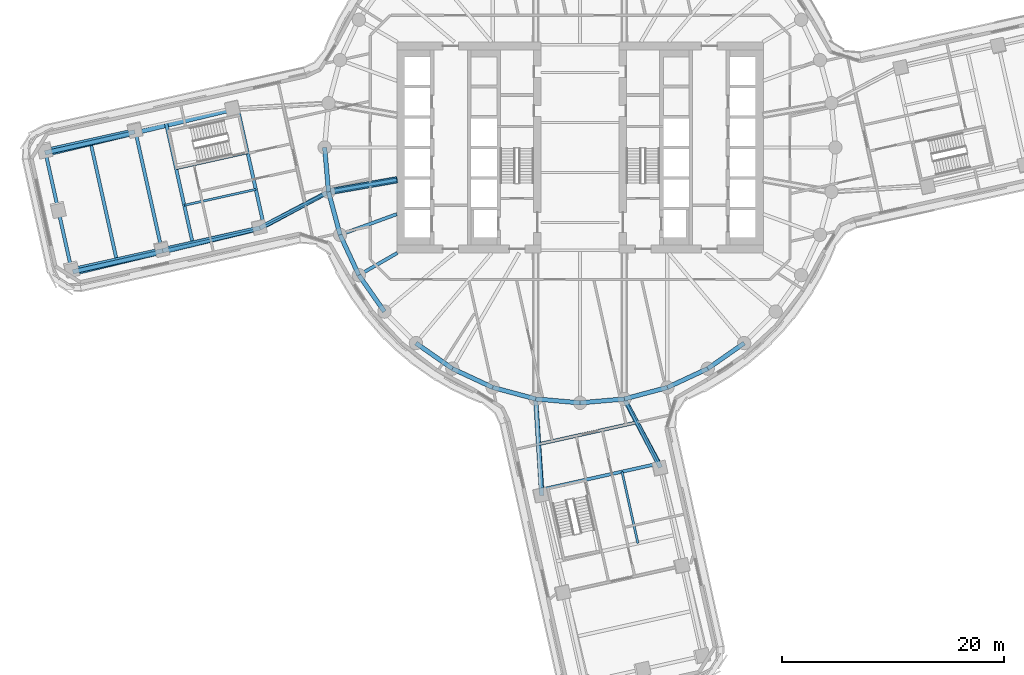
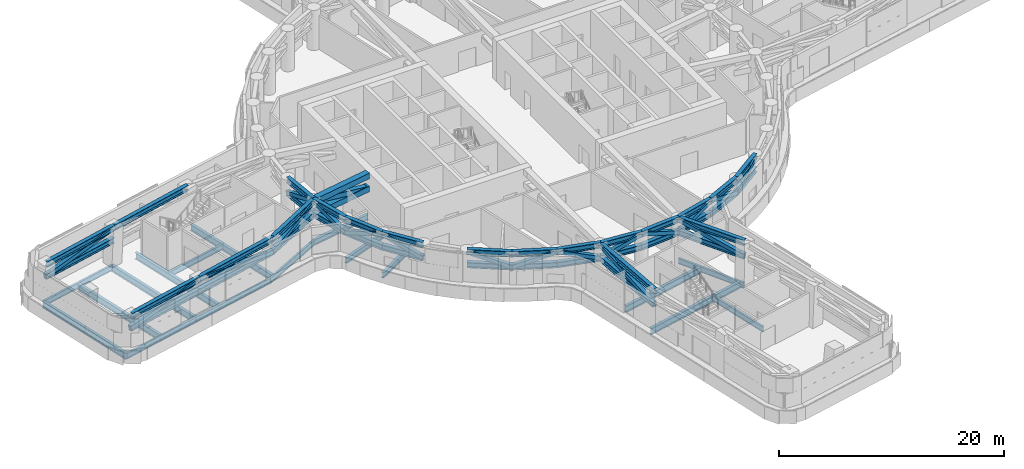
# One storey, part 2 of 22: 58 members, 19 beams.
"""IFC4 building model written with IfcOpenShell, lengths in metres."""

from ifc_helpers import new_model, si_unit, direction, frame, origin, origin_2d, place, context, subcontext, project, spatial, hollow_rectangle, i_section, extrude, material, material_profile, profile_set, type_object, element, save


model = new_model("IFC4")

# Units and contexts
model_context = context("Model", 3, precision=1e-05, world=origin(), true_north=direction((0.0, 1.0)))
body_context = subcontext(model_context, "Body", "Model", "MODEL_VIEW")
ifc_project = project(units=[si_unit("LENGTHUNIT", "METRE"), si_unit("AREAUNIT", "SQUARE_METRE"), si_unit("VOLUMEUNIT", "CUBIC_METRE"), si_unit("PLANEANGLEUNIT", "RADIAN"), si_unit("MASSUNIT", "GRAM", prefix="KILO")], contexts=[model_context])

# Site, building, storey
site_placement = place(None, origin())
site = spatial("IfcSite", under=ifc_project, at=site_placement, CompositionType="ELEMENT")
building_placement = place(site_placement, origin())
building = spatial("IfcBuilding", under=site, at=building_placement, Name="Tamarind Cross Interchange Tower", CompositionType="ELEMENT")
storey_placement = place(building_placement, frame((0.0, 0.0, 79.0)))
storey = spatial("IfcBuildingStorey", under=building, at=storey_placement, Name="L18", CompositionType="ELEMENT", Elevation=79.0)

# Beams
ifc_material_1 = material(Name="Steel Q355B", Category="steel")
ifc_material_profile_1 = material_profile(ifc_material_1, i_section(OverallWidth=0.302001953125, OverallDepth=0.593994140625, WebThickness=0.013916015625, FlangeThickness=0.02294921875, FilletRadius=0.01806640625, at=origin_2d()), Name="HM 594x302x14x23")
ifc_profile_set_1 = profile_set([ifc_material_profile_1], Name="Steel Q355B")
beam_type_1 = type_object("IfcBeamType", Name="Composite beam HM 594x302x14x23 Q355B", PredefinedType="BEAM", material=ifc_profile_set_1)
beam_1_placement = place(storey_placement, frame((-22.650634765625, -3.993896484375, -0.47705078125), z_axis=(0.984809127561, 0.173640382036, 0.0), x_axis=(-0.173640382036, 0.984809127561, 0.0)))
element("IfcBeam", 1, at=beam_1_placement, inside=storey, type_object=beam_type_1, Name="Beam HH19", PredefinedType="BEAM", context=body_context, shape_type="SweptSolid", body=[
    extrude(i_section(OverallWidth=0.302001953125, OverallDepth=0.593994140625, WebThickness=0.013916015625, FlangeThickness=0.02294921875, FilletRadius=0.01806640625, at=origin_2d()), origin(), (0.0, 0.0, 1.0), 6.24560546875),
])
beam_2_placement = place(storey_placement, frame((-21.613037109375, -7.866455078125, -0.47705078125), z_axis=(0.939701685589, 0.341995236956, 0.0), x_axis=(-0.341995236956, 0.939701685589, 0.0)))
element("IfcBeam", 2, at=beam_2_placement, inside=storey, type_object=beam_type_1, Name="Beam HH20", PredefinedType="BEAM", context=body_context, shape_type="SweptSolid", body=[
    extrude(i_section(OverallWidth=0.302001953125, OverallDepth=0.593994140625, WebThickness=0.013916015625, FlangeThickness=0.02294921875, FilletRadius=0.01806640625, at=origin_2d()), origin(), (0.0, 0.0, 1.0), 5.441162109375),
])
beam_3_placement = place(storey_placement, frame((-19.918701171875, -11.5, -0.47705078125), z_axis=(0.866026010844, 0.49999894854, 0.0), x_axis=(-0.49999894854, 0.866026010844, 0.0)))
element("IfcBeam", 3, at=beam_3_placement, inside=storey, type_object=beam_type_1, Name="Beam HH21", PredefinedType="BEAM", context=body_context, shape_type="SweptSolid", body=[
    extrude(i_section(OverallWidth=0.302001953125, OverallDepth=0.593994140625, WebThickness=0.013916015625, FlangeThickness=0.02294921875, FilletRadius=0.01806640625, at=origin_2d()), origin(), (0.0, 0.0, 1.0), 4.0),
])
ifc_material_profile_2 = material_profile(ifc_material_1, i_section(OverallWidth=0.199951171875, OverallDepth=0.60009765625, WebThickness=0.010986328125, FlangeThickness=0.01708984375, FilletRadius=0.012939453125, at=origin_2d()), Name="HN 600x200x11x17")
ifc_profile_set_2 = profile_set([ifc_material_profile_2], Name="Steel Q355B")
beam_type_2 = type_object("IfcBeamType", Name="Composite beam HN 600x200x11x17 Q355B", PredefinedType="BEAM", material=ifc_profile_set_2)
beam_4_placement = place(storey_placement, frame((7.170654296875, -28.908203125, -0.47998046875), z_axis=(-0.452674061758, 0.891676058786, 0.0), x_axis=(-0.891676058786, -0.452674061758, 0.0)))
element("IfcBeam", 4, at=beam_4_placement, inside=storey, type_object=beam_type_2, Name="Beam S-linkep", PredefinedType="BEAM", context=body_context, shape_type="SweptSolid", body=[
    extrude(i_section(OverallWidth=0.199951171875, OverallDepth=0.60009765625, WebThickness=0.010986328125, FlangeThickness=0.01708984375, FilletRadius=0.012939453125, at=origin_2d()), origin(), (0.0, 0.0, 1.0), 7.017822265625),
])
beam_5_placement = place(storey_placement, frame((-48.201171875, -0.1923828125, -0.47998046875), z_axis=(0.97615528254, 0.217073407789, 0.0), x_axis=(-0.217073407789, 0.97615528254, 0.0)))
element("IfcBeam", 5, at=beam_5_placement, inside=storey, type_object=beam_type_2, Name="Beam W-edgeem5", PredefinedType="BEAM", context=body_context, shape_type="SweptSolid", body=[
    extrude(i_section(OverallWidth=0.199951171875, OverallDepth=0.60009765625, WebThickness=0.010986328125, FlangeThickness=0.01708984375, FilletRadius=0.012939453125, at=origin_2d()), origin(), (0.0, 0.0, 1.0), 8.318115234375),
])
beam_6_placement = place(storey_placement, frame((-45.813232421875, -10.929931640625, -0.47998046875), z_axis=(0.976153899478, 0.217079627174, 0.0), x_axis=(-0.217079627174, 0.976153899478, 0.0)))
element("IfcBeam", 6, at=beam_6_placement, inside=storey, type_object=beam_type_2, Name="Beam W-edgeep2", PredefinedType="BEAM", context=body_context, shape_type="SweptSolid", body=[
    extrude(i_section(OverallWidth=0.199951171875, OverallDepth=0.60009765625, WebThickness=0.010986328125, FlangeThickness=0.01708984375, FilletRadius=0.012939453125, at=origin_2d()), origin(), (0.0, 0.0, 1.0), 8.31787109375),
])
beam_7_placement = place(storey_placement, frame((-37.693603515625, -9.124267578125, -0.47998046875), z_axis=(0.976156413168, 0.217068323417, 0.0), x_axis=(-0.217068323417, 0.976156413168, 0.0)))
element("IfcBeam", 7, at=beam_7_placement, inside=storey, type_object=beam_type_2, Name="Beam W-edgeep3", PredefinedType="BEAM", context=body_context, shape_type="SweptSolid", body=[
    extrude(i_section(OverallWidth=0.199951171875, OverallDepth=0.60009765625, WebThickness=0.010986328125, FlangeThickness=0.01708984375, FilletRadius=0.012939453125, at=origin_2d()), origin(), (0.0, 0.0, 1.0), 9.0),
])
beam_8_placement = place(storey_placement, frame((-28.908203125, -7.170654296875, -0.47998046875), z_axis=(0.891676058786, 0.452674061758, 0.0), x_axis=(-0.452674061758, 0.891676058786, 0.0)))
element("IfcBeam", 8, at=beam_8_placement, inside=storey, type_object=beam_type_2, Name="Beam W-linkep", PredefinedType="BEAM", context=body_context, shape_type="SweptSolid", body=[
    extrude(i_section(OverallWidth=0.199951171875, OverallDepth=0.60009765625, WebThickness=0.010986328125, FlangeThickness=0.01708984375, FilletRadius=0.012939453125, at=origin_2d()), origin(), (0.0, 0.0, 1.0), 7.017822265625),
])
for number, where, z_axis, x_axis, name in (
    (9, (-29.93408203125, -0.48388671875, -0.47998046875), (-0.976157458241, -0.217063623667, 0.0), (0.217063623667, -0.976157458241, 0.0), "Beam W-tr1"),
    (10, (3.7783203125, -29.201416015625, -0.47998046875), (0.217098871423, -0.976149619693, 0.0), (0.976149619693, 0.217098871423, 0.0), "Beam S-stripp"),
    (11, (-29.201416015625, -3.7783203125, -0.47998046875), (-0.976149619693, -0.217098871423, 0.0), (0.217098871423, -0.976149619693, 0.0), "Beam W-stripp"),
):
    element("IfcBeam", number, at=place(storey_placement, frame(where, z_axis=z_axis, x_axis=x_axis)), inside=storey, type_object=beam_type_2, Name=name, PredefinedType="BEAM", context=body_context, shape_type="SweptSolid", body=[
        extrude(i_section(OverallWidth=0.199951171875, OverallDepth=0.60009765625, WebThickness=0.010986328125, FlangeThickness=0.01708984375, FilletRadius=0.012939453125, at=origin_2d()), origin(), (0.0, 0.0, 1.0), 6.60009765625),
    ])
ifc_material_profile_3 = material_profile(ifc_material_1, i_section(OverallWidth=0.300048828125, OverallDepth=0.699951171875, WebThickness=0.012939453125, FlangeThickness=0.02392578125, FilletRadius=0.01806640625, at=origin_2d()), Name="HN 700x300x13x24")
ifc_profile_set_3 = profile_set([ifc_material_profile_3], Name="Steel Q355B")
beam_type_3 = type_object("IfcBeamType", Name="Composite beam HN 700x300x13x24 Q355B", PredefinedType="BEAM", material=ifc_profile_set_3)
beam_9_placement = place(storey_placement, frame((-3.589599609375, -30.840087890625, -0.530029296875), z_axis=(0.976151966734, 0.217088318067, 0.0), x_axis=(-0.217088318067, 0.976151966734, 0.0)))
element("IfcBeam", 12, at=beam_9_placement, inside=storey, type_object=beam_type_3, Name="Beam S-x298", PredefinedType="BEAM", context=body_context, shape_type="SweptSolid", body=[
    extrude(i_section(OverallWidth=0.300048828125, OverallDepth=0.699951171875, WebThickness=0.012939453125, FlangeThickness=0.02392578125, FilletRadius=0.01806640625, at=origin_2d()), origin(), (0.0, 0.0, 1.0), 10.8076171875),
])
beam_10_placement = place(storey_placement, frame((-48.201171875, -0.1923828125, -0.530029296875), z_axis=(0.217062056084, -0.976157806816, 0.0), x_axis=(0.976157806816, 0.217062056084, 0.0)))
element("IfcBeam", 13, at=beam_10_placement, inside=storey, type_object=beam_type_3, Name="Beam W-tip0", PredefinedType="BEAM", context=body_context, shape_type="SweptSolid", body=[
    extrude(i_section(OverallWidth=0.300048828125, OverallDepth=0.699951171875, WebThickness=0.012939453125, FlangeThickness=0.02392578125, FilletRadius=0.01806640625, at=origin_2d()), origin(), (0.0, 0.0, 1.0), 5.5),
])
beam_11_placement = place(storey_placement, frame((-47.00732421875, -5.561279296875, -0.530029296875), z_axis=(0.217113760499, -0.976146308195, 0.0), x_axis=(0.976146308195, 0.217113760499, 0.0)))
element("IfcBeam", 14, at=beam_11_placement, inside=storey, type_object=beam_type_3, Name="Beam W-tip1", PredefinedType="BEAM", context=body_context, shape_type="SweptSolid", body=[
    extrude(i_section(OverallWidth=0.300048828125, OverallDepth=0.699951171875, WebThickness=0.012939453125, FlangeThickness=0.02392578125, FilletRadius=0.01806640625, at=origin_2d()), origin(), (0.0, 0.0, 1.0), 5.499755859375),
])
beam_12_placement = place(storey_placement, frame((-30.840087890625, 3.589599609375, -0.530029296875), z_axis=(0.217088318067, -0.976151966734, 0.0), x_axis=(0.976151966734, 0.217088318067, 0.0)))
element("IfcBeam", 15, at=beam_12_placement, inside=storey, type_object=beam_type_3, Name="Beam W-x298", PredefinedType="BEAM", context=body_context, shape_type="SweptSolid", body=[
    extrude(i_section(OverallWidth=0.300048828125, OverallDepth=0.699951171875, WebThickness=0.012939453125, FlangeThickness=0.02392578125, FilletRadius=0.01806640625, at=origin_2d()), origin(), (0.0, 0.0, 1.0), 10.8076171875),
])
for number, where, z_axis, x_axis, name in (
    (16, (-37.29931640625, 2.23193359375, -0.530029296875), (0.217087907932, -0.976152057945, 0.0), (0.976152057945, 0.217087907932, 0.0), "Beam W-x364"),
    (17, (-40.081298828125, 1.61328125, -0.530029296875), (0.217066758902, -0.976156761069, 0.0), (0.976156761069, 0.217066758902, 0.0), "Beam W-x393"),
):
    element("IfcBeam", number, at=place(storey_placement, frame(where, z_axis=z_axis, x_axis=x_axis)), inside=storey, type_object=beam_type_3, Name=name, PredefinedType="BEAM", context=body_context, shape_type="SweptSolid", body=[
        extrude(i_section(OverallWidth=0.300048828125, OverallDepth=0.699951171875, WebThickness=0.012939453125, FlangeThickness=0.02392578125, FilletRadius=0.01806640625, at=origin_2d()), origin(), (0.0, 0.0, 1.0), 10.999755859375),
    ])
beam_13_placement = place(storey_placement, frame((-3.792236328125, -26.736083984375, -0.530029296875), z_axis=(0.976155404216, 0.217072860623, 0.0), x_axis=(-0.217072860623, 0.976155404216, 0.0)))
element("IfcBeam", 18, at=beam_13_placement, inside=storey, type_object=beam_type_3, Name="Beam S-x258", PredefinedType="BEAM", context=body_context, shape_type="SweptSolid", body=[
    extrude(i_section(OverallWidth=0.300048828125, OverallDepth=0.699951171875, WebThickness=0.012939453125, FlangeThickness=0.02392578125, FilletRadius=0.01806640625, at=origin_2d()), origin(), (0.0, 0.0, 1.0), 9.076171875),
])
beam_14_placement = place(storey_placement, frame((-44.141357421875, 0.71044921875, -0.530029296875), z_axis=(0.217087907932, -0.976152057945, 0.0), x_axis=(0.976152057945, 0.217087907932, 0.0)))
element("IfcBeam", 19, at=beam_14_placement, inside=storey, type_object=beam_type_3, Name="Beam W-x435", PredefinedType="BEAM", context=body_context, shape_type="SweptSolid", body=[
    extrude(i_section(OverallWidth=0.300048828125, OverallDepth=0.699951171875, WebThickness=0.012939453125, FlangeThickness=0.02392578125, FilletRadius=0.01806640625, at=origin_2d()), origin(), (0.0, 0.0, 1.0), 10.999755859375),
])

# Members
ifc_material_2 = material(Name="Steel Q420B", Category="steel")
ifc_material_profile_4 = material_profile(ifc_material_2, i_section(OverallWidth=0.39990234375, OverallDepth=0.60009765625, WebThickness=0.02490234375, FlangeThickness=0.0400390625, at=origin_2d()), Name="BH 600x400x25x40")
ifc_profile_set_4 = profile_set([ifc_material_profile_4], Name="Steel Q420B")
member_type_1 = type_object("IfcMemberType", Name="Truss chord BH 600x400x25x40 Q420B", PredefinedType="CHORD", material=ifc_profile_set_4)
for number, where, z_axis, x_axis, name in (
    (20, (-23.0, 0.0, 4.06005859375), (0.087142021558, -0.996195898445, 0.0), (0.996195898445, 0.087142021558, 0.0), "Belt truss ring top H18"),
    (21, (-23.0, 0.0, 2.64990234375), (0.087142021558, -0.996195898445, 0.0), (0.996195898445, 0.087142021558, 0.0), "Belt truss ring bottom H18"),
    (22, (-22.650634765625, -3.993896484375, 4.06005859375), (0.258807108475, -0.96592902462, 0.0), (0.96592902462, 0.258807108475, 0.0), "Belt truss ring top H19"),
    (23, (-22.650634765625, -3.993896484375, 2.64990234375), (0.258807108475, -0.96592902462, 0.0), (0.96592902462, 0.258807108475, 0.0), "Belt truss ring bottom H19"),
):
    element("IfcMember", number, at=place(storey_placement, frame(where, z_axis=z_axis, x_axis=x_axis)), inside=storey, type_object=member_type_1, Name=name, PredefinedType="CHORD", context=body_context, shape_type="SweptSolid", body=[
        extrude(i_section(OverallWidth=0.39990234375, OverallDepth=0.60009765625, WebThickness=0.02490234375, FlangeThickness=0.0400390625, at=origin_2d()), origin(), (0.0, 0.0, 1.0), 4.009033203125),
    ])
for number, where, z_axis, x_axis, name in (
    (24, (-21.613037109375, -7.866455078125, 4.06005859375), (0.422615416827, -0.906309113636, 0.0), (0.906309113636, 0.422615416827, 0.0), "Belt truss ring top H20"),
    (25, (-21.613037109375, -7.866455078125, 2.64990234375), (0.422615416827, -0.906309113636, 0.0), (0.906309113636, 0.422615416827, 0.0), "Belt truss ring bottom H20"),
    (26, (-19.918701171875, -11.5, 4.06005859375), (0.573568599011, -0.819157531998, 0.0), (0.819157531998, 0.573568599011, 0.0), "Belt truss ring top H21"),
    (27, (-19.918701171875, -11.5, 2.64990234375), (0.573568599011, -0.819157531998, 0.0), (0.819157531998, 0.573568599011, 0.0), "Belt truss ring bottom H21"),
    (28, (-14.7841796875, -17.619140625, 4.06005859375), (0.819157531998, -0.573568599011, 0.0), (0.573568599011, 0.819157531998, 0.0), "Belt truss ring top H23"),
    (29, (-14.7841796875, -17.619140625, 2.64990234375), (0.819157531998, -0.573568599011, 0.0), (0.573568599011, 0.819157531998, 0.0), "Belt truss ring bottom H23"),
    (30, (-11.5, -19.918701171875, 4.06005859375), (0.906309113636, -0.422615416827, 0.0), (0.422615416827, 0.906309113636, 0.0), "Belt truss ring top H24"),
    (31, (-11.5, -19.918701171875, 2.64990234375), (0.906309113636, -0.422615416827, 0.0), (0.422615416827, 0.906309113636, 0.0), "Belt truss ring bottom H24"),
):
    element("IfcMember", number, at=place(storey_placement, frame(where, z_axis=z_axis, x_axis=x_axis)), inside=storey, type_object=member_type_1, Name=name, PredefinedType="CHORD", context=body_context, shape_type="SweptSolid", body=[
        extrude(i_section(OverallWidth=0.39990234375, OverallDepth=0.60009765625, WebThickness=0.02490234375, FlangeThickness=0.0400390625, at=origin_2d()), origin(), (0.0, 0.0, 1.0), 4.00927734375),
    ])
for number, where, z_axis, x_axis, name in (
    (32, (-7.866455078125, -21.613037109375, 4.06005859375), (0.96592902462, -0.258807108475, 0.0), (0.258807108475, 0.96592902462, 0.0), "Belt truss ring top H25"),
    (33, (-7.866455078125, -21.613037109375, 2.64990234375), (0.96592902462, -0.258807108475, 0.0), (0.258807108475, 0.96592902462, 0.0), "Belt truss ring bottom H25"),
    (34, (-3.993896484375, -22.650634765625, 4.06005859375), (0.996195898445, -0.087142021558, 0.0), (0.087142021558, 0.996195898445, 0.0), "Belt truss ring top H26"),
    (35, (-3.993896484375, -22.650634765625, 2.64990234375), (0.996195898445, -0.087142021558, 0.0), (0.087142021558, 0.996195898445, 0.0), "Belt truss ring bottom H26"),
    (36, (0.0, -23.0, 4.06005859375), (0.996195898445, 0.087142021558, 0.0), (-0.087142021558, 0.996195898445, 0.0), "Belt truss ring top H27"),
    (37, (0.0, -23.0, 2.64990234375), (0.996195898445, 0.087142021558, 0.0), (-0.087142021558, 0.996195898445, 0.0), "Belt truss ring bottom H27"),
    (38, (3.993896484375, -22.650634765625, 4.06005859375), (0.96592902462, 0.258807108475, 0.0), (-0.258807108475, 0.96592902462, 0.0), "Belt truss ring top H28"),
    (39, (3.993896484375, -22.650634765625, 2.64990234375), (0.96592902462, 0.258807108475, 0.0), (-0.258807108475, 0.96592902462, 0.0), "Belt truss ring bottom H28"),
):
    element("IfcMember", number, at=place(storey_placement, frame(where, z_axis=z_axis, x_axis=x_axis)), inside=storey, type_object=member_type_1, Name=name, PredefinedType="CHORD", context=body_context, shape_type="SweptSolid", body=[
        extrude(i_section(OverallWidth=0.39990234375, OverallDepth=0.60009765625, WebThickness=0.02490234375, FlangeThickness=0.0400390625, at=origin_2d()), origin(), (0.0, 0.0, 1.0), 4.009033203125),
    ])
for number, where, z_axis, x_axis, name in (
    (40, (7.866455078125, -21.613037109375, 4.06005859375), (0.906309113636, 0.422615416827, 0.0), (-0.422615416827, 0.906309113636, 0.0), "Belt truss ring top H29"),
    (41, (7.866455078125, -21.613037109375, 2.64990234375), (0.906309113636, 0.422615416827, 0.0), (-0.422615416827, 0.906309113636, 0.0), "Belt truss ring bottom H29"),
    (42, (11.5, -19.918701171875, 4.06005859375), (0.819157531998, 0.573568599011, 0.0), (-0.573568599011, 0.819157531998, 0.0), "Belt truss ring top H30"),
    (43, (11.5, -19.918701171875, 2.64990234375), (0.819157531998, 0.573568599011, 0.0), (-0.573568599011, 0.819157531998, 0.0), "Belt truss ring bottom H30"),
):
    element("IfcMember", number, at=place(storey_placement, frame(where, z_axis=z_axis, x_axis=x_axis)), inside=storey, type_object=member_type_1, Name=name, PredefinedType="CHORD", context=body_context, shape_type="SweptSolid", body=[
        extrude(i_section(OverallWidth=0.39990234375, OverallDepth=0.60009765625, WebThickness=0.02490234375, FlangeThickness=0.0400390625, at=origin_2d()), origin(), (0.0, 0.0, 1.0), 4.00927734375),
    ])
member_1_placement = place(storey_placement, frame((-45.618408203125, -11.33251953125, 4.06005859375), z_axis=(0.972318480378, 0.233659523058, 0.0), x_axis=(-0.233659523058, 0.972318480378, 0.0)))
element("IfcMember", 44, at=member_1_placement, inside=storey, type_object=member_type_1, Name="Belt truss arm Wep top", PredefinedType="CHORD", context=body_context, shape_type="SweptSolid", body=[
    extrude(i_section(OverallWidth=0.39990234375, OverallDepth=0.60009765625, WebThickness=0.02490234375, FlangeThickness=0.0400390625, at=origin_2d()), origin(), (0.0, 0.0, 1.0), 8.31298828125),
])
member_2_placement = place(storey_placement, frame((-45.68310546875, -11.19873046875, 2.64990234375), z_axis=(0.973623955141, 0.228158703485, 0.0), x_axis=(-0.228158703485, 0.973623955141, 0.0)))
element("IfcMember", 45, at=member_2_placement, inside=storey, type_object=member_type_1, Name="Belt truss arm Wep bottom", PredefinedType="CHORD", context=body_context, shape_type="SweptSolid", body=[
    extrude(i_section(OverallWidth=0.39990234375, OverallDepth=0.60009765625, WebThickness=0.02490234375, FlangeThickness=0.0400390625, at=origin_2d()), origin(), (0.0, 0.0, 1.0), 8.314208984375),
])
member_3_placement = place(storey_placement, frame((-37.53564453125, -9.39013671875, 4.06005859375), z_axis=(0.972315354746, 0.233672529247, 0.0), x_axis=(-0.233672529247, 0.972315354746, 0.0)))
element("IfcMember", 46, at=member_3_placement, inside=storey, type_object=member_type_1, Name="Belt truss arm Wep top", PredefinedType="CHORD", context=body_context, shape_type="SweptSolid", body=[
    extrude(i_section(OverallWidth=0.39990234375, OverallDepth=0.60009765625, WebThickness=0.02490234375, FlangeThickness=0.0400390625, at=origin_2d()), origin(), (0.0, 0.0, 1.0), 9.0),
])
member_4_placement = place(storey_placement, frame((-37.588134765625, -9.3017578125, 2.64990234375), z_axis=(0.973620642319, 0.228172839859, 0.0), x_axis=(-0.228172839859, 0.973620642319, 0.0)))
element("IfcMember", 47, at=member_4_placement, inside=storey, type_object=member_type_1, Name="Belt truss arm Wep bottom", PredefinedType="CHORD", context=body_context, shape_type="SweptSolid", body=[
    extrude(i_section(OverallWidth=0.39990234375, OverallDepth=0.60009765625, WebThickness=0.02490234375, FlangeThickness=0.0400390625, at=origin_2d()), origin(), (0.0, 0.0, 1.0), 8.99951171875),
])
member_5_placement = place(storey_placement, frame((-28.784912109375, -7.287109375, 4.06005859375), z_axis=(0.881061546526, 0.473001639779, 0.0), x_axis=(-0.473001639779, 0.881061546526, 0.0)))
element("IfcMember", 48, at=member_5_placement, inside=storey, type_object=member_type_1, Name="Belt truss arm Wep top", PredefinedType="CHORD", context=body_context, shape_type="SweptSolid", body=[
    extrude(i_section(OverallWidth=0.39990234375, OverallDepth=0.60009765625, WebThickness=0.02490234375, FlangeThickness=0.0400390625, at=origin_2d()), origin(), (0.0, 0.0, 1.0), 6.96240234375),
])
member_6_placement = place(storey_placement, frame((-28.825927734375, -7.248291015625, 2.64990234375), z_axis=(0.884667728332, 0.466222061306, 0.0), x_axis=(-0.466222061306, 0.884667728332, 0.0)))
element("IfcMember", 49, at=member_6_placement, inside=storey, type_object=member_type_1, Name="Belt truss arm Wep bottom", PredefinedType="CHORD", context=body_context, shape_type="SweptSolid", body=[
    extrude(i_section(OverallWidth=0.39990234375, OverallDepth=0.60009765625, WebThickness=0.02490234375, FlangeThickness=0.0400390625, at=origin_2d()), origin(), (0.0, 0.0, 1.0), 6.98046875),
])
member_7_placement = place(storey_placement, frame((-48.188720703125, -0.63720703125, 4.06005859375), z_axis=(0.972318480378, 0.233659523058, 0.0), x_axis=(-0.233659523058, 0.972318480378, 0.0)))
element("IfcMember", 50, at=member_7_placement, inside=storey, type_object=member_type_1, Name="Belt truss arm Wem top", PredefinedType="CHORD", context=body_context, shape_type="SweptSolid", body=[
    extrude(i_section(OverallWidth=0.39990234375, OverallDepth=0.60009765625, WebThickness=0.02490234375, FlangeThickness=0.0400390625, at=origin_2d()), origin(), (0.0, 0.0, 1.0), 8.31298828125),
])
member_8_placement = place(storey_placement, frame((-48.19287109375, -0.4892578125, 2.64990234375), z_axis=(0.973623955141, 0.228158703485, 0.0), x_axis=(-0.228158703485, 0.973623955141, 0.0)))
element("IfcMember", 51, at=member_8_placement, inside=storey, type_object=member_type_1, Name="Belt truss arm Wem bottom", PredefinedType="CHORD", context=body_context, shape_type="SweptSolid", body=[
    extrude(i_section(OverallWidth=0.39990234375, OverallDepth=0.60009765625, WebThickness=0.02490234375, FlangeThickness=0.0400390625, at=origin_2d()), origin(), (0.0, 0.0, 1.0), 8.314208984375),
])
member_9_placement = place(storey_placement, frame((-40.10595703125, 1.30517578125, 4.06005859375), z_axis=(0.972315354746, 0.233672529247, 0.0), x_axis=(-0.233672529247, 0.972315354746, 0.0)))
element("IfcMember", 52, at=member_9_placement, inside=storey, type_object=member_type_1, Name="Belt truss arm Wem top", PredefinedType="CHORD", context=body_context, shape_type="SweptSolid", body=[
    extrude(i_section(OverallWidth=0.39990234375, OverallDepth=0.60009765625, WebThickness=0.02490234375, FlangeThickness=0.0400390625, at=origin_2d()), origin(), (0.0, 0.0, 1.0), 9.0),
])
member_10_placement = place(storey_placement, frame((7.287109375, -28.784912109375, 4.06005859375), z_axis=(-0.473001639779, 0.881061546526, 0.0), x_axis=(-0.881061546526, -0.473001639779, 0.0)))
element("IfcMember", 53, at=member_10_placement, inside=storey, type_object=member_type_1, Name="Belt truss arm Sep top", PredefinedType="CHORD", context=body_context, shape_type="SweptSolid", body=[
    extrude(i_section(OverallWidth=0.39990234375, OverallDepth=0.60009765625, WebThickness=0.02490234375, FlangeThickness=0.0400390625, at=origin_2d()), origin(), (0.0, 0.0, 1.0), 6.96240234375),
])
member_11_placement = place(storey_placement, frame((7.248291015625, -28.825927734375, 2.64990234375), z_axis=(-0.466222061306, 0.884667728332, 0.0), x_axis=(-0.884667728332, -0.466222061306, 0.0)))
element("IfcMember", 54, at=member_11_placement, inside=storey, type_object=member_type_1, Name="Belt truss arm Sep bottom", PredefinedType="CHORD", context=body_context, shape_type="SweptSolid", body=[
    extrude(i_section(OverallWidth=0.39990234375, OverallDepth=0.60009765625, WebThickness=0.02490234375, FlangeThickness=0.0400390625, at=origin_2d()), origin(), (0.0, 0.0, 1.0), 6.98046875),
])
member_12_placement = place(storey_placement, frame((-3.408203125, -31.355224609375, 4.06005859375), z_axis=(-0.067133780644, 0.997743982942, 0.0), x_axis=(-0.997743982942, -0.067133780644, 0.0)))
element("IfcMember", 55, at=member_12_placement, inside=storey, type_object=member_type_1, Name="Belt truss arm Sem top", PredefinedType="CHORD", context=body_context, shape_type="SweptSolid", body=[
    extrude(i_section(OverallWidth=0.39990234375, OverallDepth=0.60009765625, WebThickness=0.02490234375, FlangeThickness=0.0400390625, at=origin_2d()), origin(), (0.0, 0.0, 1.0), 8.724365234375),
])
member_13_placement = place(storey_placement, frame((-3.4609375, -31.335693359375, 2.64990234375), z_axis=(-0.06124982698, 0.998122466782, 0.0), x_axis=(-0.998122466782, -0.06124982698, 0.0)))
element("IfcMember", 56, at=member_13_placement, inside=storey, type_object=member_type_1, Name="Belt truss arm Sem bottom", PredefinedType="CHORD", context=body_context, shape_type="SweptSolid", body=[
    extrude(i_section(OverallWidth=0.39990234375, OverallDepth=0.60009765625, WebThickness=0.02490234375, FlangeThickness=0.0400390625, at=origin_2d()), origin(), (0.0, 0.0, 1.0), 8.701416015625),
])
ifc_material_profile_5 = material_profile(ifc_material_2, hollow_rectangle(XDim=0.60009765625, YDim=0.60009765625, WallThickness=0.0400390625, at=origin_2d()), Name="BOX 600x600x40")
ifc_profile_set_5 = profile_set([ifc_material_profile_5], Name="Steel Q420B")
member_type_2 = type_object("IfcMemberType", Name="Truss chord BOX 600x600x40 Q420B", PredefinedType="CHORD", material=ifc_profile_set_5)
for number, where, z_axis, x_axis, name in (
    (57, (-16.5, -2.909423828125, 4.06005859375), (-0.984809127561, -0.173640382036, 0.0), (0.173640382036, -0.984809127561, 0.0), "Outrigger truss H19 top"),
    (58, (-16.5, -2.909423828125, 2.64990234375), (-0.984809127561, -0.173640382036, 0.0), (0.173640382036, -0.984809127561, 0.0), "Outrigger truss H19 bottom"),
):
    element("IfcMember", number, at=place(storey_placement, frame(where, z_axis=z_axis, x_axis=x_axis)), inside=storey, type_object=member_type_2, Name=name, PredefinedType="CHORD", context=body_context, shape_type="SweptSolid", body=[
        extrude(hollow_rectangle(XDim=0.60009765625, YDim=0.60009765625, WallThickness=0.0400390625, at=origin_2d()), origin(), (0.0, 0.0, 1.0), 6.24560546875),
    ])
ifc_material_profile_6 = material_profile(ifc_material_2, hollow_rectangle(XDim=0.39990234375, YDim=0.39990234375, WallThickness=0.02490234375, at=origin_2d()), Name="BOX 400x400x25")
ifc_profile_set_6 = profile_set([ifc_material_profile_6], Name="Steel Q420B")
member_type_3 = type_object("IfcMemberType", Name="Truss diagonal BOX 400x400x25 Q420B", PredefinedType="BRACE", material=ifc_profile_set_6)
for number, where, z_axis, x_axis, name in (
    (59, (-23.0, 0.0, 2.64990234375), (0.082205164178, -0.939758407255, 0.331807846464), (0.996195898445, 0.087142021558, 0.0), "Belt truss ring diagonal H18"),
    (60, (-22.650634765625, -3.993896484375, 4.06005859375), (0.244144953026, -0.911206410564, -0.33180735263), (0.96592902462, 0.258807108475, 0.0), "Belt truss ring diagonal H19"),
    (61, (-21.613037109375, -7.866455078125, 2.64990234375), (0.398673198935, -0.854964440887, 0.33180639727), (0.906309113636, 0.422615416827, 0.0), "Belt truss ring diagonal H20"),
    (62, (-19.918701171875, -11.5, 4.06005859375), (0.541075232991, -0.772751251109, -0.331802797086), (0.819157531998, 0.573568599011, 0.0), "Belt truss ring diagonal H21"),
    (63, (-14.7841796875, -17.619140625, 4.06005859375), (0.772751251109, -0.541075232991, -0.331802797086), (0.573568599011, 0.819157531998, 0.0), "Belt truss ring diagonal H23"),
    (64, (-11.5, -19.918701171875, 2.64990234375), (0.854964440887, -0.398673198935, 0.33180639727), (0.422615416827, 0.906309113636, 0.0), "Belt truss ring diagonal H24"),
    (65, (-7.866455078125, -21.613037109375, 4.06005859375), (0.911206410564, -0.244144953026, -0.33180735263), (0.258807108475, 0.96592902462, 0.0), "Belt truss ring diagonal H25"),
    (66, (-3.993896484375, -22.650634765625, 2.64990234375), (0.939758407255, -0.082205164178, 0.331807846464), (0.087142021558, 0.996195898445, 0.0), "Belt truss ring diagonal H26"),
    (67, (0.0, -23.0, 4.06005859375), (0.939758407255, 0.082205164178, -0.331807846464), (-0.087142021558, 0.996195898445, 0.0), "Belt truss ring diagonal H27"),
    (68, (3.993896484375, -22.650634765625, 2.64990234375), (0.911206410564, 0.244144953026, 0.33180735263), (-0.258807108475, 0.96592902462, 0.0), "Belt truss ring diagonal H28"),
    (69, (7.866455078125, -21.613037109375, 4.06005859375), (0.854964440887, 0.398673198935, -0.33180639727), (-0.422615416827, 0.906309113636, 0.0), "Belt truss ring diagonal H29"),
    (70, (11.5, -19.918701171875, 2.64990234375), (0.772751251109, 0.541075232991, 0.331802797086), (-0.573568599011, 0.819157531998, 0.0), "Belt truss ring diagonal H30"),
):
    element("IfcMember", number, at=place(storey_placement, frame(where, z_axis=z_axis, x_axis=x_axis)), inside=storey, type_object=member_type_3, Name=name, PredefinedType="BRACE", context=body_context, shape_type="SweptSolid", body=[
        extrude(hollow_rectangle(XDim=0.39990234375, YDim=0.39990234375, WallThickness=0.02490234375, at=origin_2d()), origin(), (0.0, 0.0, 1.0), 4.25),
    ])
member_14_placement = place(storey_placement, frame((-45.68310546875, -11.19873046875, 2.64990234375), z_axis=(0.962592475008, 0.213678684372, 0.166604762545), x_axis=(-0.216707439801, 0.976236593012, 0.0)))
element("IfcMember", 71, at=member_14_placement, inside=storey, type_object=member_type_3, Name="Belt truss arm Wep diagonal", PredefinedType="BRACE", context=body_context, shape_type="SweptSolid", body=[
    extrude(hollow_rectangle(XDim=0.39990234375, YDim=0.39990234375, WallThickness=0.02490234375, at=origin_2d()), origin(), (0.0, 0.0, 1.0), 8.464111328125),
])
member_15_placement = place(storey_placement, frame((-37.53564453125, -9.39013671875, 4.06005859375), z_axis=(0.959285010999, 0.235902099551, -0.15531409176), x_axis=(-0.238799903177, 0.971068795834, 0.0)))
element("IfcMember", 72, at=member_15_placement, inside=storey, type_object=member_type_3, Name="Belt truss arm Wep diagonal", PredefinedType="BRACE", context=body_context, shape_type="SweptSolid", body=[
    extrude(hollow_rectangle(XDim=0.39990234375, YDim=0.39990234375, WallThickness=0.02490234375, at=origin_2d()), origin(), (0.0, 0.0, 1.0), 9.079345703125),
])
member_16_placement = place(storey_placement, frame((-28.825927734375, -7.248291015625, 2.64990234375), z_axis=(0.867149942709, 0.456990145343, 0.198017635372), x_axis=(-0.466222061306, 0.884667728332, 0.0)))
element("IfcMember", 73, at=member_16_placement, inside=storey, type_object=member_type_3, Name="Belt truss arm Wep diagonal", PredefinedType="BRACE", context=body_context, shape_type="SweptSolid", body=[
    extrude(hollow_rectangle(XDim=0.39990234375, YDim=0.39990234375, WallThickness=0.02490234375, at=origin_2d()), origin(), (0.0, 0.0, 1.0), 7.121337890625),
])
member_17_placement = place(storey_placement, frame((-48.19287109375, -0.4892578125, 2.64990234375), z_axis=(0.962409353614, 0.213552371364, 0.167820203673), x_axis=(-0.216624624174, 0.976254972946, 0.0)))
element("IfcMember", 74, at=member_17_placement, inside=storey, type_object=member_type_3, Name="Belt truss arm Wem diagonal", PredefinedType="BRACE", context=body_context, shape_type="SweptSolid", body=[
    extrude(hollow_rectangle(XDim=0.39990234375, YDim=0.39990234375, WallThickness=0.02490234375, at=origin_2d()), origin(), (0.0, 0.0, 1.0), 8.40283203125),
])
member_18_placement = place(storey_placement, frame((7.248291015625, -28.825927734375, 2.64990234375), z_axis=(-0.456990145343, 0.867149942709, 0.198017635372), x_axis=(-0.884667728332, -0.466222061306, 0.0)))
element("IfcMember", 75, at=member_18_placement, inside=storey, type_object=member_type_3, Name="Belt truss arm Sep diagonal", PredefinedType="BRACE", context=body_context, shape_type="SweptSolid", body=[
    extrude(hollow_rectangle(XDim=0.39990234375, YDim=0.39990234375, WallThickness=0.02490234375, at=origin_2d()), origin(), (0.0, 0.0, 1.0), 7.121337890625),
])
member_19_placement = place(storey_placement, frame((-3.4609375, -31.335693359375, 2.64990234375), z_axis=(-0.060461006569, 0.985267910068, 0.159973785589), x_axis=(-0.998122466782, -0.06124982698, 0.0)))
element("IfcMember", 76, at=member_19_placement, inside=storey, type_object=member_type_3, Name="Belt truss arm Sem diagonal", PredefinedType="BRACE", context=body_context, shape_type="SweptSolid", body=[
    extrude(hollow_rectangle(XDim=0.39990234375, YDim=0.39990234375, WallThickness=0.02490234375, at=origin_2d()), origin(), (0.0, 0.0, 1.0), 8.81494140625),
])
ifc_material_profile_7 = material_profile(ifc_material_2, hollow_rectangle(XDim=0.5, YDim=0.5, WallThickness=0.030029296875, at=origin_2d()), Name="BOX 500x500x30")
ifc_profile_set_7 = profile_set([ifc_material_profile_7], Name="Steel Q420B")
member_type_4 = type_object("IfcMemberType", Name="Truss diagonal BOX 500x500x30 Q420B", PredefinedType="BRACE", material=ifc_profile_set_7)
member_20_placement = place(storey_placement, frame((-16.5, -2.909423828125, 2.64990234375), z_axis=(-0.960627170611, -0.169376647952, 0.220243025342), x_axis=(0.173640382036, -0.984809127561, 0.0)))
element("IfcMember", 77, at=member_20_placement, inside=storey, type_object=member_type_4, Name="Outrigger truss H19 diagonal", PredefinedType="BRACE", context=body_context, shape_type="SweptSolid", body=[
    extrude(hollow_rectangle(XDim=0.5, YDim=0.5, WallThickness=0.030029296875, at=origin_2d()), origin(), (0.0, 0.0, 1.0), 6.40283203125),
])

save(model, "model.ifc")
